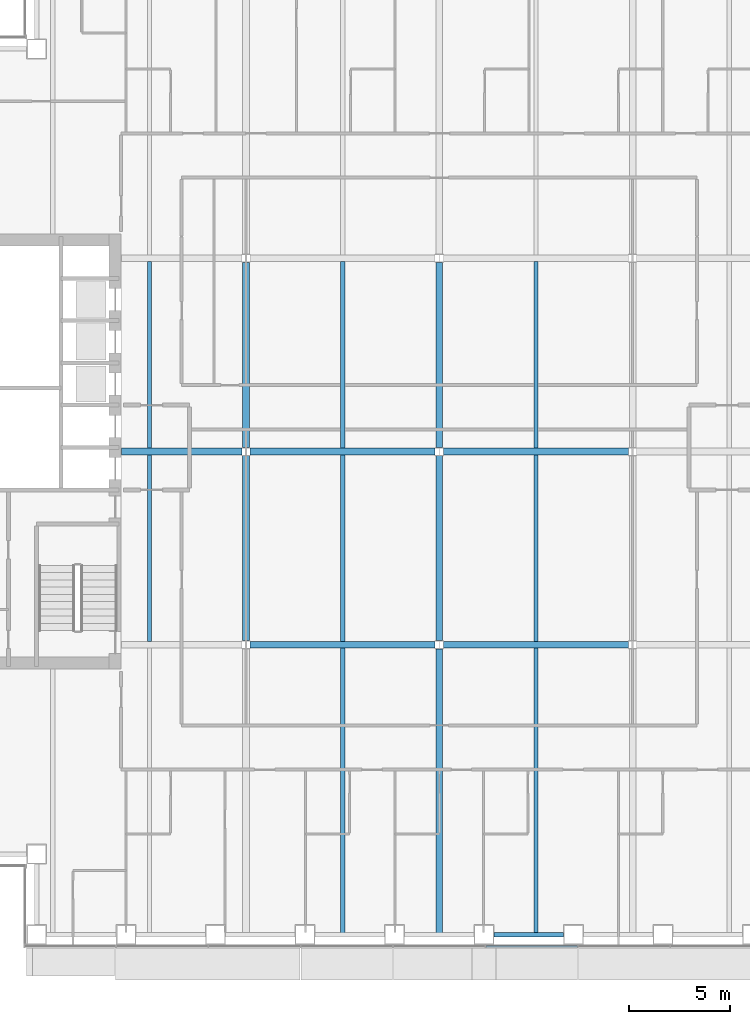
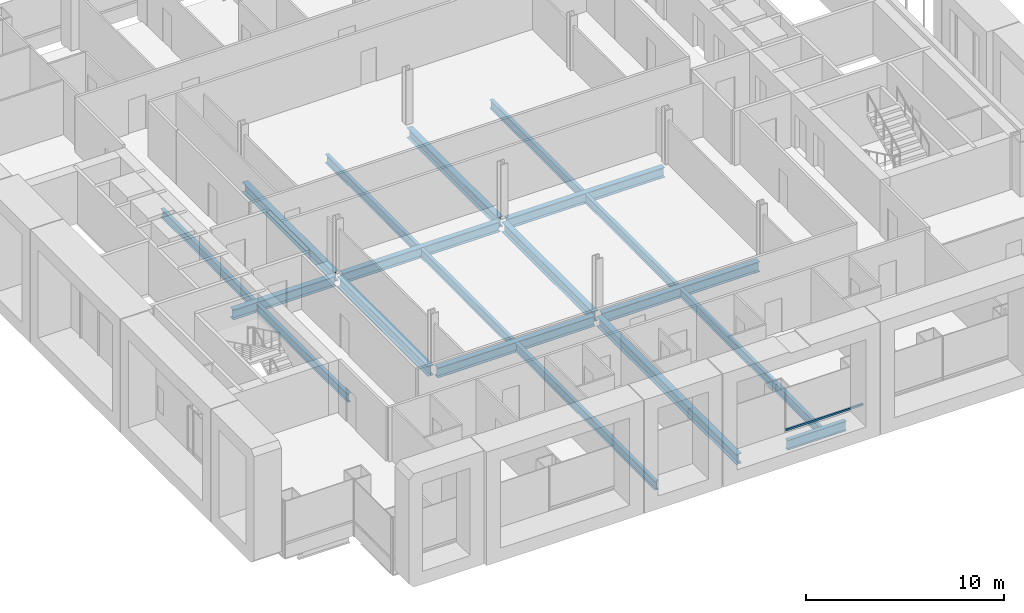
# One storey, part 3 of 25: 19 beams, 1 member, 1 element without a shape of its own.
"""IFC4 building model written with IfcOpenShell, lengths in metres."""

from ifc_helpers import new_model, si_unit, direction, frame, origin, origin_2d, place, context, subcontext, project, spatial, rectangle, i_section, extrude, material, material_profile, profile_set, type_object, element, aggregate, save


model = new_model("IFC4")

# Units and contexts
model_context = context("Model", 3, precision=1e-05, world=origin(), true_north=direction((0.0, 1.0)))
body_context = subcontext(model_context, "Body", "Model", "MODEL_VIEW")
ifc_project = project(units=[si_unit("LENGTHUNIT", "METRE"), si_unit("AREAUNIT", "SQUARE_METRE"), si_unit("VOLUMEUNIT", "CUBIC_METRE"), si_unit("PLANEANGLEUNIT", "RADIAN"), si_unit("MASSUNIT", "GRAM", prefix="KILO")], contexts=[model_context])

# Site, building, storey
site_placement = place(None, origin())
site = spatial("IfcSite", under=ifc_project, at=site_placement, CompositionType="ELEMENT")
building_placement = place(site_placement, origin())
building = spatial("IfcBuilding", under=site, at=building_placement, Name="Cobrizo Arcos Hotel Tower", CompositionType="ELEMENT")
storey_placement = place(building_placement, frame((0.0, 0.0, 46.0)))
storey = spatial("IfcBuildingStorey", under=building, at=storey_placement, Name="L09", CompositionType="ELEMENT", Elevation=46.0)

# Curtain wall, member
ifc_material_1 = material(Name="Aluminium 6063-T6 anodised bronze", Category="aluminium")
curtain_wall_type = type_object("IfcCurtainWallType", Name="CW-A guest facade", PredefinedType="NOTDEFINED", material=ifc_material_1)
curtain_wall_placement = place(storey_placement, origin())
curtain_wall = element("IfcCurtainWall", 1, at=curtain_wall_placement, inside=storey, type_object=curtain_wall_type, Name="CW-A L09 S face", PredefinedType="NOTDEFINED")
ifc_material_profile_1 = material_profile(ifc_material_1, rectangle(XDim=0.10009765625, YDim=0.1201171875, at=origin_2d()), Name="CW-A transom 120x100")
ifc_profile_set_1 = profile_set([ifc_material_profile_1], Name="Aluminium 6063-T6 anodised bronze")
member_type = type_object("IfcMemberType", Name="CW-A transom 120x100", PredefinedType="USERDEFINED", material=ifc_profile_set_1)
member_placement = place(storey_placement, frame((2.324462890625, -24.574951171875, 0.929931640625), z_axis=(1.0, 0.0, 0.0), x_axis=(0.0, 1.0, 0.0)))
member = element("IfcMember", 2, at=member_placement, type_object=member_type, Name="CW-A transom 442", ObjectType="TRANSOM", PredefinedType="USERDEFINED", context=body_context, shape_type="SweptSolid", body=[
    extrude(rectangle(XDim=0.10009765625, YDim=0.1201171875, at=origin_2d()), origin(), (0.0, 0.0, 1.0), 4.52880859375),
])
aggregate(curtain_wall, [member])

# Beams
ifc_material_2 = material(Name="Steel ASTM A992 Grade 50", Category="steel")
ifc_material_profile_2 = material_profile(ifc_material_2, i_section(OverallWidth=0.209228515625, OverallDepth=0.533447265625, WebThickness=0.01025390625, FlangeThickness=0.015625, at=origin_2d()), Name="W21X62")
ifc_profile_set_2 = profile_set([ifc_material_profile_2], Name="Steel ASTM A992 Grade 50")
beam_type_1 = type_object("IfcBeamType", Name="W21X62 joist", PredefinedType="JOIST", material=ifc_profile_set_2)
for number, where, z_axis, x_axis, name in (
    (3, (-14.39990234375, -9.43603515625, -0.416748046875), (0.0, 1.0, 0.0), (-1.0, 0.0, 0.0), "Floor joist J1, L09, no. 004"),
    (4, (-14.39990234375, 0.163818359375, -0.416748046875), (0.0, 1.0, 0.0), (-1.0, 0.0, 0.0), "Floor joist J1, L09, no. 005"),
):
    element("IfcBeam", number, at=place(storey_placement, frame(where, z_axis=z_axis, x_axis=x_axis)), inside=storey, type_object=beam_type_1, Name=name, PredefinedType="JOIST", context=body_context, shape_type="SweptSolid", body=[
        extrude(i_section(OverallWidth=0.209228515625, OverallDepth=0.533447265625, WebThickness=0.01025390625, FlangeThickness=0.015625, at=origin_2d()), origin(), (0.0, 0.0, 1.0), 9.272216796875),
    ])
beam_1_placement = place(storey_placement, frame((-4.800048828125, -23.909912109375, -0.416748046875), z_axis=(0.0, 1.0, 0.0), x_axis=(-1.0, 0.0, 0.0)))
element("IfcBeam", 5, at=beam_1_placement, inside=storey, type_object=beam_type_1, Name="Floor joist J1, L09, no. 007", PredefinedType="JOIST", context=body_context, shape_type="SweptSolid", body=[
    extrude(i_section(OverallWidth=0.209228515625, OverallDepth=0.533447265625, WebThickness=0.01025390625, FlangeThickness=0.015625, at=origin_2d()), origin(), (0.0, 0.0, 1.0), 14.14599609375),
])
for number, where, z_axis, x_axis, name in (
    (6, (-4.800048828125, -9.43603515625, -0.416748046875), (0.0, 1.0, 0.0), (-1.0, 0.0, 0.0), "Floor joist J1, L09, no. 008"),
    (7, (-4.800048828125, 0.163818359375, -0.416748046875), (0.0, 1.0, 0.0), (-1.0, 0.0, 0.0), "Floor joist J1, L09, no. 009"),
):
    element("IfcBeam", number, at=place(storey_placement, frame(where, z_axis=z_axis, x_axis=x_axis)), inside=storey, type_object=beam_type_1, Name=name, PredefinedType="JOIST", context=body_context, shape_type="SweptSolid", body=[
        extrude(i_section(OverallWidth=0.209228515625, OverallDepth=0.533447265625, WebThickness=0.01025390625, FlangeThickness=0.015625, at=origin_2d()), origin(), (0.0, 0.0, 1.0), 9.272216796875),
    ])
beam_2_placement = place(storey_placement, frame((4.800048828125, -23.909912109375, -0.416748046875), z_axis=(0.0, 1.0, 0.0), x_axis=(-1.0, 0.0, 0.0)))
element("IfcBeam", 8, at=beam_2_placement, inside=storey, type_object=beam_type_1, Name="Floor joist J1, L09, no. 011", PredefinedType="JOIST", context=body_context, shape_type="SweptSolid", body=[
    extrude(i_section(OverallWidth=0.209228515625, OverallDepth=0.533447265625, WebThickness=0.01025390625, FlangeThickness=0.015625, at=origin_2d()), origin(), (0.0, 0.0, 1.0), 14.14599609375),
])
for number, where, z_axis, x_axis, name in (
    (9, (4.800048828125, -9.43603515625, -0.416748046875), (0.0, 1.0, 0.0), (-1.0, 0.0, 0.0), "Floor joist J1, L09, no. 012"),
    (10, (4.800048828125, 0.163818359375, -0.416748046875), (0.0, 1.0, 0.0), (-1.0, 0.0, 0.0), "Floor joist J1, L09, no. 013"),
):
    element("IfcBeam", number, at=place(storey_placement, frame(where, z_axis=z_axis, x_axis=x_axis)), inside=storey, type_object=beam_type_1, Name=name, PredefinedType="JOIST", context=body_context, shape_type="SweptSolid", body=[
        extrude(i_section(OverallWidth=0.209228515625, OverallDepth=0.533447265625, WebThickness=0.01025390625, FlangeThickness=0.015625, at=origin_2d()), origin(), (0.0, 0.0, 1.0), 9.272216796875),
    ])
ifc_material_profile_3 = material_profile(ifc_material_2, i_section(OverallWidth=0.32763671875, OverallDepth=0.622314453125, WebThickness=0.015380859375, FlangeThickness=0.0244140625, at=origin_2d()), Name="W24X131")
ifc_profile_set_3 = profile_set([ifc_material_profile_3], Name="Steel ASTM A992 Grade 50")
beam_type_2 = type_object("IfcBeamType", Name="W24X131 girder", PredefinedType="BEAM", material=ifc_profile_set_3)
for number, where, z_axis, x_axis, name in (
    (11, (-9.3955078125, -9.60009765625, -0.461181640625), (1.0, 0.0, 0.0), (0.0, 1.0, 0.0), "Floor girder G1, L09, no. 002"),
    (12, (0.204345703125, -9.60009765625, -0.461181640625), (1.0, 0.0, 0.0), (0.0, 1.0, 0.0), "Floor girder G1, L09, no. 003"),
):
    element("IfcBeam", number, at=place(storey_placement, frame(where, z_axis=z_axis, x_axis=x_axis)), inside=storey, type_object=beam_type_2, Name=name, PredefinedType="BEAM", context=body_context, shape_type="SweptSolid", body=[
        extrude(i_section(OverallWidth=0.32763671875, OverallDepth=0.622314453125, WebThickness=0.015380859375, FlangeThickness=0.0244140625, at=origin_2d()), origin(), (0.0, 0.0, 1.0), 9.191162109375),
    ])
beam_3_placement = place(storey_placement, frame((-15.7900390625, 0.0, -0.461181640625), z_axis=(1.0, 0.0, 0.0), x_axis=(0.0, 1.0, 0.0)))
element("IfcBeam", 13, at=beam_3_placement, inside=storey, type_object=beam_type_2, Name="Floor girder G1, L09, no. 005", PredefinedType="BEAM", context=body_context, shape_type="SweptSolid", body=[
    extrude(i_section(OverallWidth=0.32763671875, OverallDepth=0.622314453125, WebThickness=0.015380859375, FlangeThickness=0.0244140625, at=origin_2d()), origin(), (0.0, 0.0, 1.0), 5.985595703125),
])
for number, where, z_axis, x_axis, name in (
    (14, (-9.3955078125, 0.0, -0.461181640625), (1.0, 0.0, 0.0), (0.0, 1.0, 0.0), "Floor girder G1, L09, no. 006"),
    (15, (0.204345703125, 0.0, -0.461181640625), (1.0, 0.0, 0.0), (0.0, 1.0, 0.0), "Floor girder G1, L09, no. 007"),
    (16, (-9.60009765625, -9.3955078125, -0.461181640625), (0.0, 1.0, 0.0), (-1.0, 0.0, 0.0), "Floor girder G1, L09, no. 014"),
    (17, (-9.60009765625, 0.204345703125, -0.461181640625), (0.0, 1.0, 0.0), (-1.0, 0.0, 0.0), "Floor girder G1, L09, no. 015"),
):
    element("IfcBeam", number, at=place(storey_placement, frame(where, z_axis=z_axis, x_axis=x_axis)), inside=storey, type_object=beam_type_2, Name=name, PredefinedType="BEAM", context=body_context, shape_type="SweptSolid", body=[
        extrude(i_section(OverallWidth=0.32763671875, OverallDepth=0.622314453125, WebThickness=0.015380859375, FlangeThickness=0.0244140625, at=origin_2d()), origin(), (0.0, 0.0, 1.0), 9.191162109375),
    ])
beam_4_placement = place(storey_placement, frame((0.0, -23.909912109375, -0.461181640625), z_axis=(0.0, 1.0, 0.0), x_axis=(-1.0, 0.0, 0.0)))
element("IfcBeam", 18, at=beam_4_placement, inside=storey, type_object=beam_type_2, Name="Floor girder G1, L09, no. 017", PredefinedType="BEAM", context=body_context, shape_type="SweptSolid", body=[
    extrude(i_section(OverallWidth=0.32763671875, OverallDepth=0.622314453125, WebThickness=0.015380859375, FlangeThickness=0.0244140625, at=origin_2d()), origin(), (0.0, 0.0, 1.0), 14.10546875),
])
for number, where, z_axis, x_axis, name in (
    (19, (0.0, -9.3955078125, -0.461181640625), (0.0, 1.0, 0.0), (-1.0, 0.0, 0.0), "Floor girder G1, L09, no. 018"),
    (20, (0.0, 0.204345703125, -0.461181640625), (0.0, 1.0, 0.0), (-1.0, 0.0, 0.0), "Floor girder G1, L09, no. 019"),
):
    element("IfcBeam", number, at=place(storey_placement, frame(where, z_axis=z_axis, x_axis=x_axis)), inside=storey, type_object=beam_type_2, Name=name, PredefinedType="BEAM", context=body_context, shape_type="SweptSolid", body=[
        extrude(i_section(OverallWidth=0.32763671875, OverallDepth=0.622314453125, WebThickness=0.015380859375, FlangeThickness=0.0244140625, at=origin_2d()), origin(), (0.0, 0.0, 1.0), 9.191162109375),
    ])
ifc_material_profile_4 = material_profile(ifc_material_2, i_section(OverallWidth=0.23046875, OverallDepth=0.6171875, WebThickness=0.01318359375, FlangeThickness=0.022216796875, at=origin_2d()), Name="W24X94")
ifc_profile_set_4 = profile_set([ifc_material_profile_4], Name="Steel ASTM A992 Grade 50")
beam_type_3 = type_object("IfcBeamType", Name="W24X94 spandrel", PredefinedType="SPANDREL", material=ifc_profile_set_4)
beam_5_placement = place(storey_placement, frame((2.721923828125, -24.0, -0.45849609375), z_axis=(1.0, 0.0, 0.0), x_axis=(0.0, 1.0, 0.0)))
element("IfcBeam", 21, at=beam_5_placement, inside=storey, type_object=beam_type_3, Name="Spandrel beam W24X94, L09, no. 006", PredefinedType="SPANDREL", context=body_context, shape_type="SweptSolid", body=[
    extrude(i_section(OverallWidth=0.23046875, OverallDepth=0.6171875, WebThickness=0.01318359375, FlangeThickness=0.022216796875, at=origin_2d()), origin(), (0.0, 0.0, 1.0), 3.445068359375),
])

save(model, "model.ifc")
